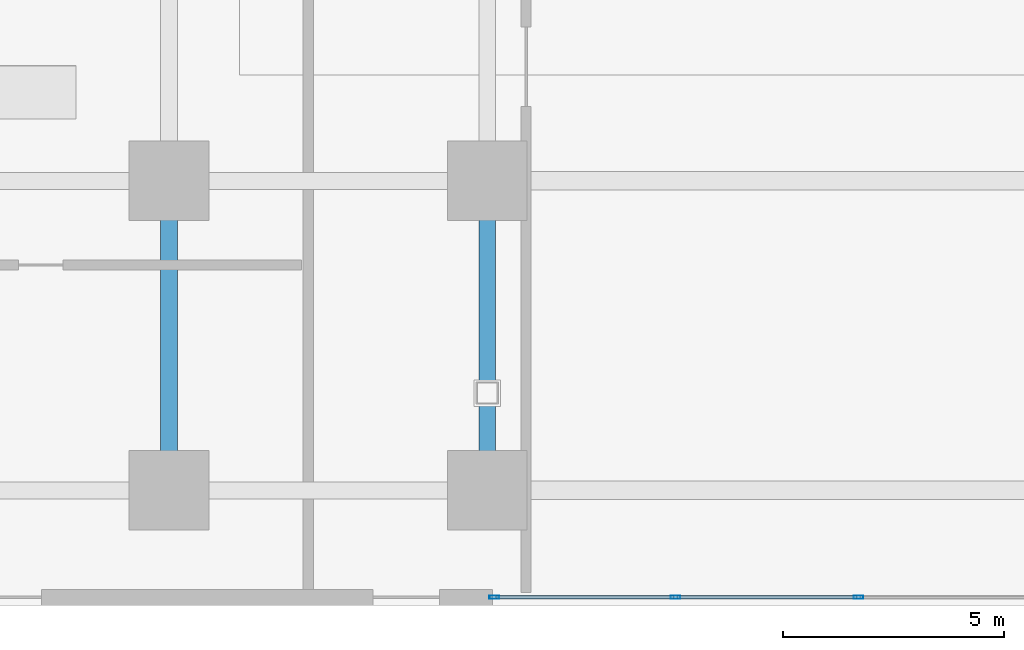
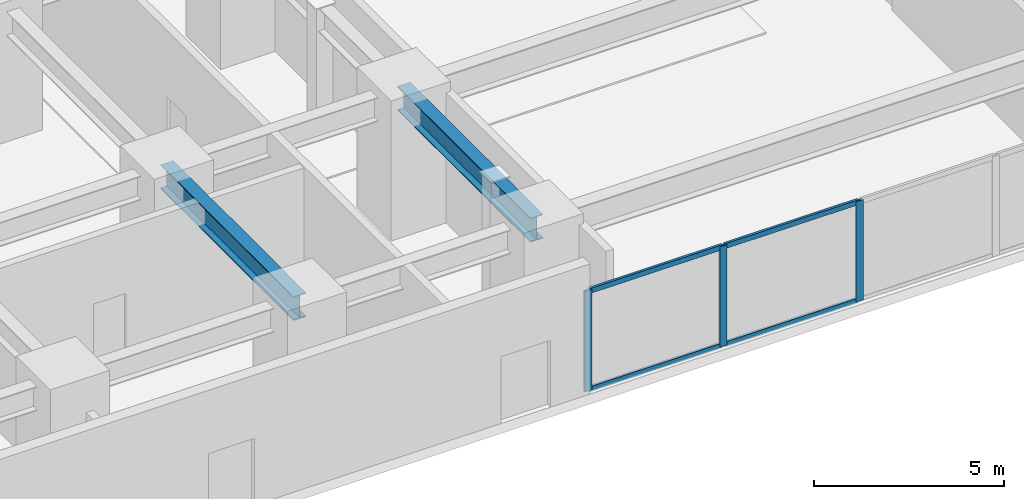
# One storey, part 5 of 26: 7 members, 2 beams, 1 element without a shape of its own.
"""IFC4 building model written with IfcOpenShell, lengths in metres."""

from ifc_helpers import new_model, si_unit, direction, frame, origin, origin_2d, place, context, subcontext, project, spatial, hollow_rectangle, i_section, extrude, material, layer, layer_set, material_profile, profile_set, type_object, element, aggregate, save


model = new_model("IFC4")

# Units and contexts
model_context = context("Model", 3, precision=1e-05, world=origin(), true_north=direction((0.0, 1.0)))
body_context = subcontext(model_context, "Body", "Model", "MODEL_VIEW")
ifc_project = project(units=[si_unit("LENGTHUNIT", "METRE"), si_unit("AREAUNIT", "SQUARE_METRE"), si_unit("VOLUMEUNIT", "CUBIC_METRE"), si_unit("PLANEANGLEUNIT", "RADIAN"), si_unit("MASSUNIT", "GRAM", prefix="KILO")], contexts=[model_context])

# Site, building, storey
site_placement = place(None, origin())
site = spatial("IfcSite", under=ifc_project, at=site_placement, CompositionType="ELEMENT")
building_placement = place(site_placement, origin())
building = spatial("IfcBuilding", under=site, at=building_placement, Name="Kiyonajd Concourse Tower", CompositionType="ELEMENT")
storey_placement = place(building_placement, origin())
storey = spatial("IfcBuildingStorey", under=building, at=storey_placement, Name="L01", CompositionType="ELEMENT", Elevation=0.0)

# Beams
ifc_material_1 = material(Name="Steel ASTM A992 Grade 50", Category="steel")
ifc_material_profile_1 = material_profile(ifc_material_1, i_section(OverallWidth=0.381103515625, OverallDepth=0.77294921875, WebThickness=0.0166015625, FlangeThickness=0.027099609375, at=origin_2d()), Name="W760X257")
ifc_profile_set_1 = profile_set([ifc_material_profile_1], Name="Steel ASTM A992 Grade 50")
beam_type = type_object("IfcBeamType", Name="BM-POD-760", PredefinedType="BEAM", material=ifc_profile_set_1)
for number, where, z_axis, x_axis, name in (
    (1, (32.39990234375, 2.60009765625, 3.79345703125), (0.0, 1.0, 0.0), (-1.0, 0.0, 0.0), "L01 Podium North South Beam"),
    (2, (39.60009765625, 2.60009765625, 3.79345703125), (0.0, 1.0, 0.0), (-1.0, 0.0, 0.0), "L01 Podium North South Beam"),
):
    element("IfcBeam", number, at=place(storey_placement, frame(where, z_axis=z_axis, x_axis=x_axis)), inside=storey, type_object=beam_type, Name=name, PredefinedType="BEAM", context=body_context, shape_type="SweptSolid", body=[
        extrude(i_section(OverallWidth=0.381103515625, OverallDepth=0.77294921875, WebThickness=0.0166015625, FlangeThickness=0.027099609375, at=origin_2d()), origin(), (0.0, 0.0, 1.0), 7.0),
    ])

# Curtain wall, members
ifc_material_2 = material(Name="Thermally Broken Anodised Aluminium", Category="aluminium")
ifc_layer = layer(ifc_material_2, 0.179931640625)
ifc_layer_set = layer_set([ifc_layer], Name="Thermally Broken Anodised Aluminium")
curtain_wall_type = type_object("IfcCurtainWallType", Name="CW-SYS-01", PredefinedType="NOTDEFINED", material=ifc_layer_set)
curtain_wall_placement = place(storey_placement, origin())
curtain_wall = element("IfcCurtainWall", 3, at=curtain_wall_placement, inside=storey, type_object=curtain_wall_type, Name="L01 Unitised Curtain Wall CW1", PredefinedType="NOTDEFINED")
ifc_material_profile_2 = material_profile(ifc_material_2, hollow_rectangle(XDim=0.074951171875, YDim=0.219970703125, WallThickness=0.0048828125, at=origin_2d()), Name="MULL-75x220")
ifc_profile_set_2 = profile_set([ifc_material_profile_2], Name="Thermally Broken Anodised Aluminium")
member_type_1 = type_object("IfcMemberType", Name="MB-CW-MULL2", PredefinedType="MULLION", material=ifc_profile_set_2)
member_1_placement = place(storey_placement, frame((48.0, 0.179931640625, 0.0), z_axis=(0.0, 0.0, 1.0), x_axis=(0.0, -1.0, 0.0)))
member_1 = element("IfcMember", 4, at=member_1_placement, type_object=member_type_1, Name="CW1 mullion 3", PredefinedType="MULLION", context=body_context, shape_type="SweptSolid", body=[
    extrude(hollow_rectangle(XDim=0.074951171875, YDim=0.219970703125, WallThickness=0.0048828125, at=origin_2d()), origin(), (0.0, 0.0, 1.0), 3.22998046875),
])
member_2_placement = place(storey_placement, frame((43.860107421875, 0.179931640625, 0.0), z_axis=(0.0, 0.0, 1.0), x_axis=(0.0, -1.0, 0.0)))
member_2 = element("IfcMember", 5, at=member_2_placement, type_object=member_type_1, Name="CW1 mullion 4", PredefinedType="MULLION", context=body_context, shape_type="SweptSolid", body=[
    extrude(hollow_rectangle(XDim=0.074951171875, YDim=0.219970703125, WallThickness=0.0048828125, at=origin_2d()), origin(), (0.0, 0.0, 1.0), 3.22998046875),
])
member_3_placement = place(storey_placement, frame((39.757568359375, 0.179931640625, 0.0), z_axis=(0.0, 0.0, 1.0), x_axis=(0.0, -1.0, 0.0)))
member_3 = element("IfcMember", 6, at=member_3_placement, type_object=member_type_1, Name="CW1 mullion 5", PredefinedType="MULLION", context=body_context, shape_type="SweptSolid", body=[
    extrude(hollow_rectangle(XDim=0.074951171875, YDim=0.219970703125, WallThickness=0.0048828125, at=origin_2d()), origin(), (0.0, 0.0, 1.0), 3.22998046875),
])
ifc_material_profile_3 = material_profile(ifc_material_2, hollow_rectangle(XDim=0.074951171875, YDim=0.159912109375, WallThickness=0.0048828125, at=origin_2d()), Name="TRAN-75x160")
ifc_profile_set_3 = profile_set([ifc_material_profile_3], Name="Thermally Broken Anodised Aluminium")
member_type_2 = type_object("IfcMemberType", Name="MB-CW-TRAN2", PredefinedType="USERDEFINED", material=ifc_profile_set_3)
member_4_placement = place(storey_placement, frame((47.96240234375, 0.179931640625, 0.03759765625), z_axis=(-1.0, 0.0, 0.0), x_axis=(0.0, -1.0, 0.0)))
member_4 = element("IfcMember", 7, at=member_4_placement, type_object=member_type_2, Name="CW1 transom 3.1", ObjectType="TRANSOM", PredefinedType="USERDEFINED", context=body_context, shape_type="SweptSolid", body=[
    extrude(hollow_rectangle(XDim=0.074951171875, YDim=0.159912109375, WallThickness=0.0048828125, at=origin_2d()), origin(), (0.0, 0.0, 1.0), 4.06494140625),
])
member_5_placement = place(storey_placement, frame((47.96240234375, 0.179931640625, 3.1923828125), z_axis=(-1.0, 0.0, 0.0), x_axis=(0.0, -1.0, 0.0)))
member_5 = element("IfcMember", 8, at=member_5_placement, type_object=member_type_2, Name="CW1 transom 3.2", ObjectType="TRANSOM", PredefinedType="USERDEFINED", context=body_context, shape_type="SweptSolid", body=[
    extrude(hollow_rectangle(XDim=0.074951171875, YDim=0.159912109375, WallThickness=0.0048828125, at=origin_2d()), origin(), (0.0, 0.0, 1.0), 4.06494140625),
])
member_6_placement = place(storey_placement, frame((43.822509765625, 0.179931640625, 0.03759765625), z_axis=(-1.0, 0.0, 0.0), x_axis=(0.0, -1.0, 0.0)))
member_6 = element("IfcMember", 9, at=member_6_placement, type_object=member_type_2, Name="CW1 transom 4.1", ObjectType="TRANSOM", PredefinedType="USERDEFINED", context=body_context, shape_type="SweptSolid", body=[
    extrude(hollow_rectangle(XDim=0.074951171875, YDim=0.159912109375, WallThickness=0.0048828125, at=origin_2d()), origin(), (0.0, 0.0, 1.0), 4.027587890625),
])
member_7_placement = place(storey_placement, frame((43.822509765625, 0.179931640625, 3.1923828125), z_axis=(-1.0, 0.0, 0.0), x_axis=(0.0, -1.0, 0.0)))
member_7 = element("IfcMember", 10, at=member_7_placement, type_object=member_type_2, Name="CW1 transom 4.2", ObjectType="TRANSOM", PredefinedType="USERDEFINED", context=body_context, shape_type="SweptSolid", body=[
    extrude(hollow_rectangle(XDim=0.074951171875, YDim=0.159912109375, WallThickness=0.0048828125, at=origin_2d()), origin(), (0.0, 0.0, 1.0), 4.027587890625),
])
aggregate(curtain_wall, [member_1, member_2, member_3, member_4, member_5, member_6, member_7])

save(model, "model.ifc")
